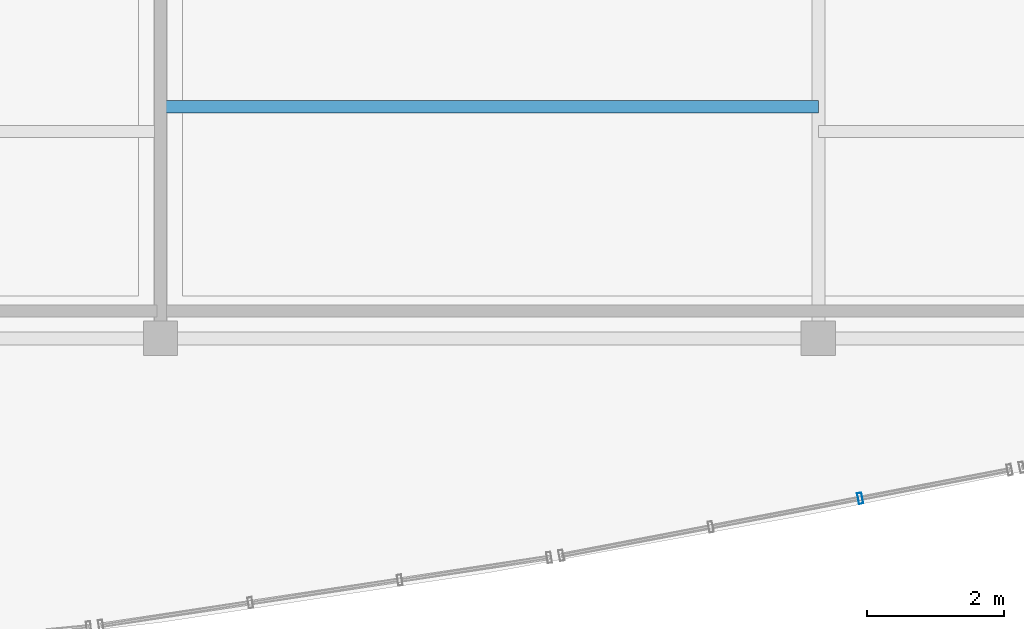
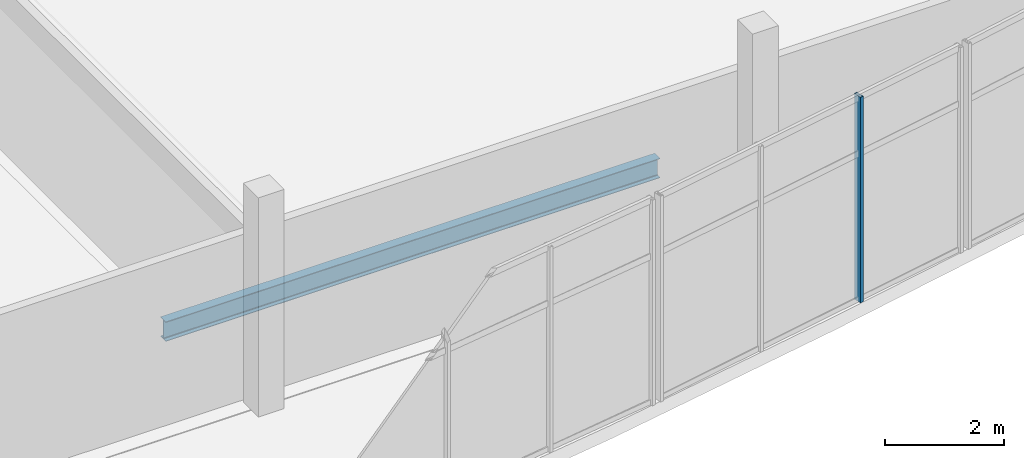
# One storey, part 58 of 114: 1 beam, 1 member, 1 element without a shape of its own.
"""IFC4 building model written with IfcOpenShell, lengths in metres."""

from ifc_helpers import new_model, si_unit, direction, frame, origin, origin_2d, place, context, subcontext, project, spatial, hollow_rectangle, i_section, extrude, material, layer, layer_set, material_profile, profile_set, type_object, element, aggregate, save


model = new_model("IFC4")

# Units and contexts
model_context = context("Model", 3, precision=1e-05, world=origin(), true_north=direction((0.0, 1.0)))
body_context = subcontext(model_context, "Body", "Model", "MODEL_VIEW")
ifc_project = project(units=[si_unit("LENGTHUNIT", "METRE"), si_unit("AREAUNIT", "SQUARE_METRE"), si_unit("VOLUMEUNIT", "CUBIC_METRE"), si_unit("PLANEANGLEUNIT", "RADIAN"), si_unit("MASSUNIT", "GRAM", prefix="KILO")], contexts=[model_context])

# Site, building, storey
site_placement = place(None, origin())
site = spatial("IfcSite", under=ifc_project, at=site_placement, CompositionType="ELEMENT")
building_placement = place(site_placement, origin())
building = spatial("IfcBuilding", under=site, at=building_placement, Name="Chalmorin Arch Market", CompositionType="ELEMENT")
storey_placement = place(building_placement, frame((0.0, 0.0, 9.60009765625)))
storey = spatial("IfcBuildingStorey", under=building, at=storey_placement, Name="L02", CompositionType="ELEMENT", Elevation=9.60009765625)

# Curtain wall, member
ifc_material_1 = material(Name="Aluminium 6063-T6", Category="aluminium")
ifc_layer = layer(ifc_material_1, 0.159912109375)
ifc_layer_set = layer_set([ifc_layer], Name="Aluminium 6063-T6")
curtain_wall_type = type_object("IfcCurtainWallType", Name="CulinaryStudioCurtainWall-CW3-6660x4220", PredefinedType="NOTDEFINED", material=ifc_layer_set)
curtain_wall_placement = place(storey_placement, origin())
curtain_wall = element("IfcCurtainWall", 1, at=curtain_wall_placement, inside=storey, type_object=curtain_wall_type, Name="CW-03-175", PredefinedType="NOTDEFINED")
ifc_material_profile_1 = material_profile(ifc_material_1, hollow_rectangle(XDim=0.06494140625, YDim=0.159912109375, WallThickness=0.00390625, at=origin_2d()), Name="ALU65X160X4")
ifc_profile_set_1 = profile_set([ifc_material_profile_1], Name="Aluminium 6063-T6")
member_type = type_object("IfcMemberType", Name="CurtainWallMullion-65x160", PredefinedType="MULLION", material=ifc_profile_set_1)
member_placement = place(storey_placement, frame((106.21044921875, 69.665771484375, 0.0), z_axis=(0.0, 0.0, 1.0), x_axis=(0.981627183448, 0.190808995377, 0.0)))
member = element("IfcMember", 2, at=member_placement, type_object=member_type, Name="ML-175-03", PredefinedType="MULLION", context=body_context, shape_type="SweptSolid", body=[
    extrude(hollow_rectangle(XDim=0.06494140625, YDim=0.159912109375, WallThickness=0.00390625, at=origin_2d()), origin(), (0.0, 0.0, 1.0), 4.219970703125),
])
aggregate(curtain_wall, [member])

# Beam
ifc_material_2 = material(Name="Steel A992 Grade 50", Category="steel")
ifc_material_profile_2 = material_profile(ifc_material_2, i_section(OverallWidth=0.177978515625, OverallDepth=0.403076171875, WebThickness=0.007568359375, FlangeThickness=0.010986328125, FilletRadius=0.01806640625, at=origin_2d()), Name="W16X36")
ifc_profile_set_2 = profile_set([ifc_material_profile_2], Name="Steel A992 Grade 50")
beam_type = type_object("IfcBeamType", Name="SecondaryFloorJoist-W16X36", PredefinedType="JOIST", material=ifc_profile_set_2)
beam_placement = place(storey_placement, frame((96.0, 75.3798828125, -0.483642578125), z_axis=(1.0, 0.0, 0.0), x_axis=(0.0, 1.0, 0.0)))
element("IfcBeam", 3, at=beam_placement, inside=storey, type_object=beam_type, Name="BJ-W16B-1343", PredefinedType="JOIST", context=body_context, shape_type="SweptSolid", body=[
    extrude(i_section(OverallWidth=0.177978515625, OverallDepth=0.403076171875, WebThickness=0.007568359375, FlangeThickness=0.010986328125, FilletRadius=0.01806640625, at=origin_2d()), origin(), (0.0, 0.0, 1.0), 9.60009765625),
])

save(model, "model.ifc")
